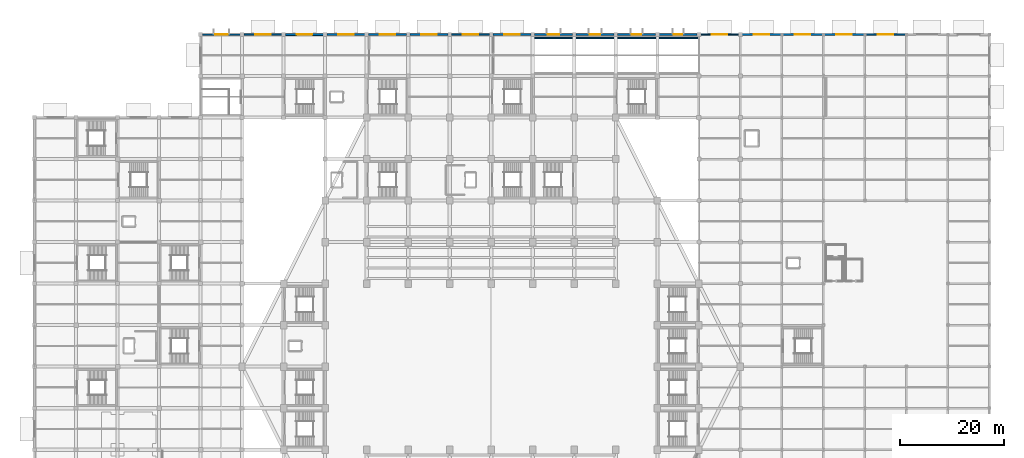
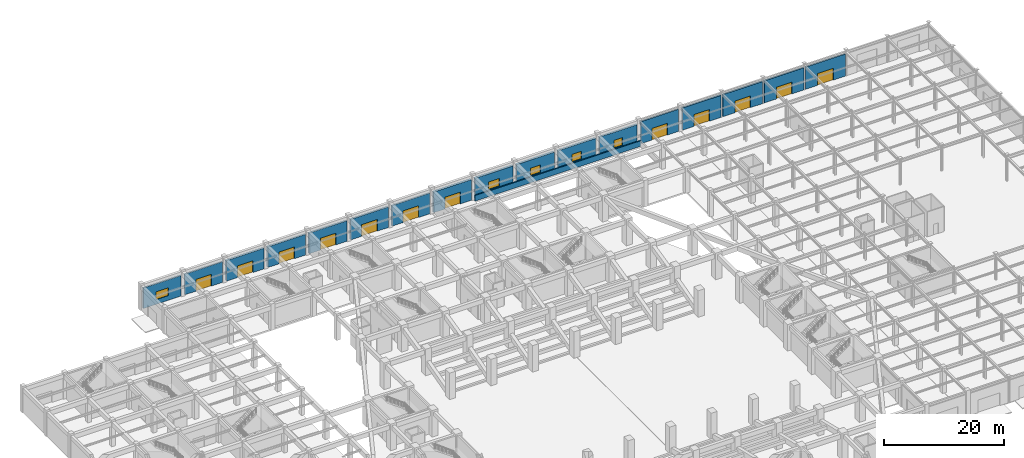
# One storey, part 31 of 39: 18 walls, 12 doors, 5 windows, 17 openings.
"""IFC4 building model written with IfcOpenShell, lengths in metres."""

from ifc_helpers import new_model, si_unit, direction, frame, frame_2d, origin, place, context, subcontext, project, spatial, rectangle, extrude, material, layer, layer_set, type_object, element, fill, save


model = new_model("IFC4")

# Units and contexts
model_context = context("Model", 3, precision=1e-05, world=origin(), true_north=direction((0.0, 1.0)))
body_context = subcontext(model_context, "Body", "Model", "MODEL_VIEW")
ifc_project = project(units=[si_unit("LENGTHUNIT", "METRE"), si_unit("AREAUNIT", "SQUARE_METRE"), si_unit("VOLUMEUNIT", "CUBIC_METRE"), si_unit("PLANEANGLEUNIT", "RADIAN"), si_unit("MASSUNIT", "GRAM", prefix="KILO")], contexts=[model_context])

# Site, building, storey
site_placement = place(None, origin())
site = spatial("IfcSite", under=ifc_project, at=site_placement, CompositionType="ELEMENT")
building_placement = place(site_placement, origin())
building = spatial("IfcBuilding", under=site, at=building_placement, Name="Tazarka Park Arena", CompositionType="ELEMENT")
storey_placement = place(building_placement, origin())
storey = spatial("IfcBuildingStorey", under=building, at=storey_placement, Name="L00", CompositionType="ELEMENT", Elevation=0.0)

# Wall, opening, door
ifc_material_1 = material(Name="Precast concrete C40/50", Category="concrete")
ifc_layer_1 = layer(ifc_material_1, 0.300048828125, Name="Precast concrete C40/50")
ifc_layer_set_1 = layer_set([ifc_layer_1], Name="Precast concrete C40/50")
wall_type_1 = type_object("IfcWallType", Name="WAL-EW-01", PredefinedType="SOLIDWALL", material=ifc_layer_set_1)
wall_1_placement = place(storey_placement, frame((80.35498046875, 128.0, 0.0), z_axis=(0.0, 0.0, 1.0), x_axis=(1.0, 0.0, 0.0)))
wall_1 = element("IfcWall", 1, at=wall_1_placement, inside=storey, type_object=wall_type_1, Name="EW-L00-0112", PredefinedType="SOLIDWALL", context=body_context, shape_type="SweptSolid", body=[
    extrude(rectangle(XDim=7.2900390625, YDim=0.300048828125, at=frame_2d((3.64501953125, 0.0))), origin(), (0.0, 0.0, 1.0), 4.199951171875),
])
opening_1_placement = place(wall_1_placement, frame((2.14501953125, 0.0, 0.0)))
opening_1 = element("IfcOpeningElement", 2, at=opening_1_placement, cuts=wall_1, Name="Opening G10", PredefinedType="OPENING", context=body_context, shape_type="SweptSolid", body=[
    extrude(rectangle(XDim=3.0, YDim=2.39990234375, at=frame_2d((1.5, 1.199951171875))), frame((0.0, 0.16015625, 0.0), z_axis=(0.0, -1.0, 0.0), x_axis=(1.0, 0.0, 0.0)), (0.0, 0.0, 1.0), 0.320068359375),
])
ifc_material_2 = material(Name="Thermally broken anodised aluminium and laminated safety glass", Category="aluminium")
door_type = type_object("IfcDoorType", Name="DR-ED-02", OperationType="NOTDEFINED", PredefinedType="DOOR", material=ifc_material_2)
door_1_placement = place(opening_1_placement, origin())
door_1 = element("IfcDoor", 3, at=door_1_placement, inside=storey, type_object=door_type, Name="Pedestrian exit gate G10", OperationType="DOUBLE_DOOR_SINGLE_SWING", OverallHeight=2.39990234375, OverallWidth=3.0, PredefinedType="DOOR", context=body_context, shape_type="SweptSolid", body=[
    extrude(rectangle(XDim=3.0, YDim=2.39990234375, at=frame_2d((1.5, 1.199951171875))), frame((0.0, 0.02490234375, 0.0), z_axis=(0.0, -1.0, 0.0), x_axis=(1.0, 0.0, 0.0)), (0.0, 0.0, 1.0), 0.050048828125),
])
fill(opening_1, door_1)

ifc_material_3 = material(Name="Precast concrete C40/50", Category="concrete")
ifc_layer_2 = layer(ifc_material_3, 0.320068359375, Name="Precast concrete C40/50")
ifc_layer_set_2 = layer_set([ifc_layer_2], Name="Precast concrete C40/50")
wall_type_2 = type_object("IfcWallType", Name="WAL-EW-02", PredefinedType="SOLIDWALL", material=ifc_layer_set_2)
wall_2_placement = place(storey_placement, frame((72.35498046875, 128.0, 0.0), z_axis=(0.0, 0.0, 1.0), x_axis=(1.0, 0.0, 0.0)))
wall_2 = element("IfcWall", 4, at=wall_2_placement, inside=storey, type_object=wall_type_2, Name="EW-L00-0113", PredefinedType="SOLIDWALL", context=body_context, shape_type="SweptSolid", body=[
    extrude(rectangle(XDim=7.2900390625, YDim=0.320068359375, at=frame_2d((3.64501953125, 0.0))), origin(), (0.0, 0.0, 1.0), 4.199951171875),
])
opening_2_placement = place(wall_2_placement, frame((2.14501953125, 0.0, 0.0)))
opening_2 = element("IfcOpeningElement", 5, at=opening_2_placement, cuts=wall_2, Name="Opening G11", PredefinedType="OPENING", context=body_context, shape_type="SweptSolid", body=[
    extrude(rectangle(XDim=3.0, YDim=2.39990234375, at=frame_2d((1.5, 1.199951171875))), frame((0.0, 0.169921875, 0.0), z_axis=(0.0, -1.0, 0.0), x_axis=(1.0, 0.0, 0.0)), (0.0, 0.0, 1.0), 0.340087890625),
])
door_2_placement = place(opening_2_placement, origin())
door_2 = element("IfcDoor", 6, at=door_2_placement, inside=storey, type_object=door_type, Name="Pedestrian exit gate G11", OperationType="DOUBLE_DOOR_SINGLE_SWING", OverallHeight=2.39990234375, OverallWidth=3.0, PredefinedType="DOOR", context=body_context, shape_type="SweptSolid", body=[
    extrude(rectangle(XDim=3.0, YDim=2.39990234375, at=frame_2d((1.5, 1.199951171875))), frame((0.0, 0.02490234375, 0.0), z_axis=(0.0, -1.0, 0.0), x_axis=(1.0, 0.0, 0.0)), (0.0, 0.0, 1.0), 0.050048828125),
])
fill(opening_2, door_2)

ifc_material_4 = material(Name="Concrete C40/50", Category="concrete")
ifc_layer_3 = layer(ifc_material_4, 0.340087890625, Name="Concrete C40/50")
ifc_layer_set_3 = layer_set([ifc_layer_3], Name="Concrete C40/50")
wall_type_3 = type_object("IfcWallType", Name="WAL-EW-03", PredefinedType="SOLIDWALL", material=ifc_layer_set_3)
wall_3_placement = place(storey_placement, frame((64.35498046875, 128.0, 0.0), z_axis=(0.0, 0.0, 1.0), x_axis=(1.0, 0.0, 0.0)))
wall_3 = element("IfcWall", 7, at=wall_3_placement, inside=storey, type_object=wall_type_3, Name="EW-L00-0114", PredefinedType="SOLIDWALL", context=body_context, shape_type="SweptSolid", body=[
    extrude(rectangle(XDim=7.2900390625, YDim=0.340087890625, at=frame_2d((3.64501953125, 0.0))), origin(), (0.0, 0.0, 1.0), 4.199951171875),
])
opening_3_placement = place(wall_3_placement, frame((2.14501953125, 0.0, 0.0)))
opening_3 = element("IfcOpeningElement", 8, at=opening_3_placement, cuts=wall_3, Name="Opening G12", PredefinedType="OPENING", context=body_context, shape_type="SweptSolid", body=[
    extrude(rectangle(XDim=3.0, YDim=2.39990234375, at=frame_2d((1.5, 1.199951171875))), frame((0.0, 0.18017578125, 0.0), z_axis=(0.0, -1.0, 0.0), x_axis=(1.0, 0.0, 0.0)), (0.0, 0.0, 1.0), 0.360107421875),
])
door_3_placement = place(opening_3_placement, origin())
door_3 = element("IfcDoor", 9, at=door_3_placement, inside=storey, type_object=door_type, Name="Pedestrian exit gate G12", OperationType="DOUBLE_DOOR_SINGLE_SWING", OverallHeight=2.39990234375, OverallWidth=3.0, PredefinedType="DOOR", context=body_context, shape_type="SweptSolid", body=[
    extrude(rectangle(XDim=3.0, YDim=2.39990234375, at=frame_2d((1.5, 1.199951171875))), frame((0.0, 0.02490234375, 0.0), z_axis=(0.0, -1.0, 0.0), x_axis=(1.0, 0.0, 0.0)), (0.0, 0.0, 1.0), 0.050048828125),
])
fill(opening_3, door_3)

ifc_material_5 = material(Name="Concrete C40/50", Category="concrete")
ifc_layer_4 = layer(ifc_material_5, 0.360107421875, Name="Concrete C40/50")
ifc_layer_set_4 = layer_set([ifc_layer_4], Name="Concrete C40/50")
wall_type_4 = type_object("IfcWallType", Name="WAL-EW-04", PredefinedType="SOLIDWALL", material=ifc_layer_set_4)
wall_4_placement = place(storey_placement, frame((56.35498046875, 128.0, 0.0), z_axis=(0.0, 0.0, 1.0), x_axis=(1.0, 0.0, 0.0)))
wall_4 = element("IfcWall", 10, at=wall_4_placement, inside=storey, type_object=wall_type_4, Name="EW-L00-0115", PredefinedType="SOLIDWALL", context=body_context, shape_type="SweptSolid", body=[
    extrude(rectangle(XDim=7.2900390625, YDim=0.360107421875, at=frame_2d((3.64501953125, 0.0))), origin(), (0.0, 0.0, 1.0), 4.199951171875),
])
opening_4_placement = place(wall_4_placement, frame((2.14501953125, 0.0, 0.0)))
opening_4 = element("IfcOpeningElement", 11, at=opening_4_placement, cuts=wall_4, Name="Opening G13", PredefinedType="OPENING", context=body_context, shape_type="SweptSolid", body=[
    extrude(rectangle(XDim=3.0, YDim=2.39990234375, at=frame_2d((1.5, 1.199951171875))), frame((0.0, 0.18994140625, 0.0), z_axis=(0.0, -1.0, 0.0), x_axis=(1.0, 0.0, 0.0)), (0.0, 0.0, 1.0), 0.380126953125),
])
door_4_placement = place(opening_4_placement, origin())
door_4 = element("IfcDoor", 12, at=door_4_placement, inside=storey, type_object=door_type, Name="Pedestrian exit gate G13", OperationType="DOUBLE_DOOR_SINGLE_SWING", OverallHeight=2.39990234375, OverallWidth=3.0, PredefinedType="DOOR", context=body_context, shape_type="SweptSolid", body=[
    extrude(rectangle(XDim=3.0, YDim=2.39990234375, at=frame_2d((1.5, 1.199951171875))), frame((0.0, 0.02490234375, 0.0), z_axis=(0.0, -1.0, 0.0), x_axis=(1.0, 0.0, 0.0)), (0.0, 0.0, 1.0), 0.050048828125),
])
fill(opening_4, door_4)

ifc_material_6 = material(Name="Concrete C50/60", Category="concrete")
ifc_layer_5 = layer(ifc_material_6, 0.3798828125, Name="Concrete C50/60")
ifc_layer_set_5 = layer_set([ifc_layer_5], Name="Concrete C50/60")
wall_type_5 = type_object("IfcWallType", Name="WAL-EW-05", PredefinedType="SOLIDWALL", material=ifc_layer_set_5)
wall_5_placement = place(storey_placement, frame((48.35498046875, 128.0, 0.0), z_axis=(0.0, 0.0, 1.0), x_axis=(1.0, 0.0, 0.0)))
wall_5 = element("IfcWall", 13, at=wall_5_placement, inside=storey, type_object=wall_type_5, Name="EW-L00-0116", PredefinedType="SOLIDWALL", context=body_context, shape_type="SweptSolid", body=[
    extrude(rectangle(XDim=7.2900390625, YDim=0.3798828125, at=frame_2d((3.64501953125, 0.0))), origin(), (0.0, 0.0, 1.0), 4.199951171875),
])
opening_5_placement = place(wall_5_placement, frame((2.14501953125, 0.0, 0.0)))
opening_5 = element("IfcOpeningElement", 14, at=opening_5_placement, cuts=wall_5, Name="Opening G14", PredefinedType="OPENING", context=body_context, shape_type="SweptSolid", body=[
    extrude(rectangle(XDim=3.0, YDim=2.39990234375, at=frame_2d((1.5, 1.199951171875))), frame((0.0, 0.199951171875, 0.0), z_axis=(0.0, -1.0, 0.0), x_axis=(1.0, 0.0, 0.0)), (0.0, 0.0, 1.0), 0.39990234375),
])
door_5_placement = place(opening_5_placement, origin())
door_5 = element("IfcDoor", 15, at=door_5_placement, inside=storey, type_object=door_type, Name="Pedestrian exit gate G14", OperationType="DOUBLE_DOOR_SINGLE_SWING", OverallHeight=2.39990234375, OverallWidth=3.0, PredefinedType="DOOR", context=body_context, shape_type="SweptSolid", body=[
    extrude(rectangle(XDim=3.0, YDim=2.39990234375, at=frame_2d((1.5, 1.199951171875))), frame((0.0, 0.02490234375, 0.0), z_axis=(0.0, -1.0, 0.0), x_axis=(1.0, 0.0, 0.0)), (0.0, 0.0, 1.0), 0.050048828125),
])
fill(opening_5, door_5)

ifc_material_7 = material(Name="Precast concrete C40/50", Category="concrete")
ifc_layer_6 = layer(ifc_material_7, 0.280029296875, Name="Precast concrete C40/50")
ifc_layer_set_6 = layer_set([ifc_layer_6], Name="Precast concrete C40/50")
wall_type_6 = type_object("IfcWallType", Name="WAL-EW-06", PredefinedType="SOLIDWALL", material=ifc_layer_set_6)
wall_6_placement = place(storey_placement, frame((40.35498046875, 128.0, 0.0), z_axis=(0.0, 0.0, 1.0), x_axis=(1.0, 0.0, 0.0)))
wall_6 = element("IfcWall", 16, at=wall_6_placement, inside=storey, type_object=wall_type_6, Name="EW-L00-0117", PredefinedType="SOLIDWALL", context=body_context, shape_type="SweptSolid", body=[
    extrude(rectangle(XDim=7.2900390625, YDim=0.280029296875, at=frame_2d((3.64501953125, 0.0))), origin(), (0.0, 0.0, 1.0), 4.199951171875),
])
opening_6_placement = place(wall_6_placement, frame((2.14501953125, 0.0, 0.0)))
opening_6 = element("IfcOpeningElement", 17, at=opening_6_placement, cuts=wall_6, Name="Opening G15", PredefinedType="OPENING", context=body_context, shape_type="SweptSolid", body=[
    extrude(rectangle(XDim=3.0, YDim=2.39990234375, at=frame_2d((1.5, 1.199951171875))), frame((0.0, 0.14990234375, 0.0), z_axis=(0.0, -1.0, 0.0), x_axis=(1.0, 0.0, 0.0)), (0.0, 0.0, 1.0), 0.300048828125),
])
door_6_placement = place(opening_6_placement, origin())
door_6 = element("IfcDoor", 18, at=door_6_placement, inside=storey, type_object=door_type, Name="Pedestrian exit gate G15", OperationType="DOUBLE_DOOR_SINGLE_SWING", OverallHeight=2.39990234375, OverallWidth=3.0, PredefinedType="DOOR", context=body_context, shape_type="SweptSolid", body=[
    extrude(rectangle(XDim=3.0, YDim=2.39990234375, at=frame_2d((1.5, 1.199951171875))), frame((0.0, 0.02490234375, 0.0), z_axis=(0.0, -1.0, 0.0), x_axis=(1.0, 0.0, 0.0)), (0.0, 0.0, 1.0), 0.050048828125),
])
fill(opening_6, door_6)

ifc_material_8 = material(Name="Precast concrete C40/50", Category="concrete")
ifc_layer_7 = layer(ifc_material_8, 0.2900390625, Name="Precast concrete C40/50")
ifc_layer_set_7 = layer_set([ifc_layer_7], Name="Precast concrete C40/50")
wall_type_7 = type_object("IfcWallType", Name="WAL-EW-07", PredefinedType="SOLIDWALL", material=ifc_layer_set_7)
wall_7_placement = place(storey_placement, frame((160.18310546875, 128.0, 0.0), z_axis=(0.0, 0.0, 1.0), x_axis=(1.0, 0.0, 0.0)))
wall_7 = element("IfcWall", 19, at=wall_7_placement, inside=storey, type_object=wall_type_7, Name="EW-L00-0102", PredefinedType="SOLIDWALL", context=body_context, shape_type="SweptSolid", body=[
    extrude(rectangle(XDim=7.6337890625, YDim=0.2900390625, at=frame_2d((3.81689453125, 0.0))), origin(), (0.0, 0.0, 1.0), 4.510009765625),
])
opening_7_placement = place(wall_7_placement, frame((2.31689453125, 0.0, 0.0)))
opening_7 = element("IfcOpeningElement", 20, at=opening_7_placement, cuts=wall_7, Name="Opening G04", PredefinedType="OPENING", context=body_context, shape_type="SweptSolid", body=[
    extrude(rectangle(XDim=3.0, YDim=2.39990234375, at=frame_2d((1.5, 1.199951171875))), frame((0.0, 0.155029296875, 0.0), z_axis=(0.0, -1.0, 0.0), x_axis=(1.0, 0.0, 0.0)), (0.0, 0.0, 1.0), 0.31005859375),
])
door_7_placement = place(opening_7_placement, origin())
door_7 = element("IfcDoor", 21, at=door_7_placement, inside=storey, type_object=door_type, Name="Pedestrian exit gate G04", OperationType="DOUBLE_DOOR_SINGLE_SWING", OverallHeight=2.39990234375, OverallWidth=3.0, PredefinedType="DOOR", context=body_context, shape_type="SweptSolid", body=[
    extrude(rectangle(XDim=3.0, YDim=2.39990234375, at=frame_2d((1.5, 1.199951171875))), frame((0.0, 0.02490234375, 0.0), z_axis=(0.0, -1.0, 0.0), x_axis=(1.0, 0.0, 0.0)), (0.0, 0.0, 1.0), 0.050048828125),
])
fill(opening_7, door_7)

# Wall, opening, window
wall_8_placement = place(storey_placement, frame((32.35498046875, 128.0, 0.0), z_axis=(0.0, 0.0, 1.0), x_axis=(1.0, 0.0, 0.0)))
wall_8 = element("IfcWall", 22, at=wall_8_placement, inside=storey, type_object=wall_type_7, Name="EW-L00-0118", PredefinedType="SOLIDWALL", context=body_context, shape_type="SweptSolid", body=[
    extrude(rectangle(XDim=7.2900390625, YDim=0.2900390625, at=frame_2d((3.64501953125, 0.0))), origin(), (0.0, 0.0, 1.0), 4.199951171875),
])
opening_8_placement = place(wall_8_placement, frame((2.445068359375, 0.0, 0.949951171875)))
opening_8 = element("IfcOpeningElement", 23, at=opening_8_placement, cuts=wall_8, Name="Opening WN-05", PredefinedType="OPENING", context=body_context, shape_type="SweptSolid", body=[
    extrude(rectangle(XDim=2.39990234375, YDim=1.60009765625, at=frame_2d((1.199951171875, 0.800048828125))), frame((0.0, 0.155029296875, 0.0), z_axis=(0.0, -1.0, 0.0), x_axis=(1.0, 0.0, 0.0)), (0.0, 0.0, 1.0), 0.31005859375),
])
ifc_material_9 = material(Name="Thermally broken aluminium and solar-control low-e glazing", Category="aluminium")
window_type_1 = type_object("IfcWindowType", Name="WIN-WN-05", PartitioningType="DOUBLE_PANEL_VERTICAL", PredefinedType="WINDOW", material=ifc_material_9)
window_1_placement = place(opening_8_placement, origin())
window_1 = element("IfcWindow", 24, at=window_1_placement, inside=storey, type_object=window_type_1, Name="WIN-L00-0005", OverallHeight=1.60009765625, OverallWidth=2.39990234375, PartitioningType="SINGLE_PANEL", PredefinedType="WINDOW", context=body_context, shape_type="SweptSolid", body=[
    extrude(rectangle(XDim=2.39990234375, YDim=1.60009765625, at=frame_2d((1.199951171875, 0.800048828125))), frame((0.0, 0.030029296875, 0.0), z_axis=(0.0, -1.0, 0.0), x_axis=(1.0, 0.0, 0.0)), (0.0, 0.0, 1.0), 0.06005859375),
])
fill(opening_8, window_1)

# Wall, opening, door
ifc_material_10 = material(Name="Precast concrete C40/50", Category="concrete")
ifc_layer_8 = layer(ifc_material_10, 0.31005859375, Name="Precast concrete C40/50")
ifc_layer_set_8 = layer_set([ifc_layer_8], Name="Precast concrete C40/50")
wall_type_8 = type_object("IfcWallType", Name="WAL-EW-08", PredefinedType="SOLIDWALL", material=ifc_layer_set_8)
wall_9_placement = place(storey_placement, frame((152.18310546875, 128.0, 0.0), z_axis=(0.0, 0.0, 1.0), x_axis=(1.0, 0.0, 0.0)))
wall_9 = element("IfcWall", 25, at=wall_9_placement, inside=storey, type_object=wall_type_8, Name="EW-L00-0103", PredefinedType="SOLIDWALL", context=body_context, shape_type="SweptSolid", body=[
    extrude(rectangle(XDim=7.6337890625, YDim=0.31005859375, at=frame_2d((3.81689453125, 0.0))), origin(), (0.0, 0.0, 1.0), 4.510009765625),
])
opening_9_placement = place(wall_9_placement, frame((2.31689453125, 0.0, 0.0)))
opening_9 = element("IfcOpeningElement", 26, at=opening_9_placement, cuts=wall_9, Name="Opening G05", PredefinedType="OPENING", context=body_context, shape_type="SweptSolid", body=[
    extrude(rectangle(XDim=3.0, YDim=2.39990234375, at=frame_2d((1.5, 1.199951171875))), frame((0.0, 0.1650390625, 0.0), z_axis=(0.0, -1.0, 0.0), x_axis=(1.0, 0.0, 0.0)), (0.0, 0.0, 1.0), 0.330078125),
])
door_8_placement = place(opening_9_placement, origin())
door_8 = element("IfcDoor", 27, at=door_8_placement, inside=storey, type_object=door_type, Name="Pedestrian exit gate G05", OperationType="DOUBLE_DOOR_SINGLE_SWING", OverallHeight=2.39990234375, OverallWidth=3.0, PredefinedType="DOOR", context=body_context, shape_type="SweptSolid", body=[
    extrude(rectangle(XDim=3.0, YDim=2.39990234375, at=frame_2d((1.5, 1.199951171875))), frame((0.0, 0.02490234375, 0.0), z_axis=(0.0, -1.0, 0.0), x_axis=(1.0, 0.0, 0.0)), (0.0, 0.0, 1.0), 0.050048828125),
])
fill(opening_9, door_8)

ifc_material_11 = material(Name="Concrete C40/50", Category="concrete")
ifc_layer_9 = layer(ifc_material_11, 0.330078125, Name="Concrete C40/50")
ifc_layer_set_9 = layer_set([ifc_layer_9], Name="Concrete C40/50")
wall_type_9 = type_object("IfcWallType", Name="WAL-EW-09", PredefinedType="SOLIDWALL", material=ifc_layer_set_9)
wall_10_placement = place(storey_placement, frame((144.18310546875, 128.0, 0.0), z_axis=(0.0, 0.0, 1.0), x_axis=(1.0, 0.0, 0.0)))
wall_10 = element("IfcWall", 28, at=wall_10_placement, inside=storey, type_object=wall_type_9, Name="EW-L00-0104", PredefinedType="SOLIDWALL", context=body_context, shape_type="SweptSolid", body=[
    extrude(rectangle(XDim=7.6337890625, YDim=0.330078125, at=frame_2d((3.81689453125, 0.0))), origin(), (0.0, 0.0, 1.0), 4.510009765625),
])
opening_10_placement = place(wall_10_placement, frame((2.31689453125, 0.0, 0.0)))
opening_10 = element("IfcOpeningElement", 29, at=opening_10_placement, cuts=wall_10, Name="Opening G06", PredefinedType="OPENING", context=body_context, shape_type="SweptSolid", body=[
    extrude(rectangle(XDim=3.0, YDim=2.39990234375, at=frame_2d((1.5, 1.199951171875))), frame((0.0, 0.175048828125, 0.0), z_axis=(0.0, -1.0, 0.0), x_axis=(1.0, 0.0, 0.0)), (0.0, 0.0, 1.0), 0.35009765625),
])
door_9_placement = place(opening_10_placement, origin())
door_9 = element("IfcDoor", 30, at=door_9_placement, inside=storey, type_object=door_type, Name="Pedestrian exit gate G06", OperationType="DOUBLE_DOOR_SINGLE_SWING", OverallHeight=2.39990234375, OverallWidth=3.0, PredefinedType="DOOR", context=body_context, shape_type="SweptSolid", body=[
    extrude(rectangle(XDim=3.0, YDim=2.39990234375, at=frame_2d((1.5, 1.199951171875))), frame((0.0, 0.02490234375, 0.0), z_axis=(0.0, -1.0, 0.0), x_axis=(1.0, 0.0, 0.0)), (0.0, 0.0, 1.0), 0.050048828125),
])
fill(opening_10, door_9)

ifc_material_12 = material(Name="Concrete C40/50", Category="concrete")
ifc_layer_10 = layer(ifc_material_12, 0.35009765625, Name="Concrete C40/50")
ifc_layer_set_10 = layer_set([ifc_layer_10], Name="Concrete C40/50")
wall_type_10 = type_object("IfcWallType", Name="WAL-EW-10", PredefinedType="SOLIDWALL", material=ifc_layer_set_10)
wall_11_placement = place(storey_placement, frame((136.35498046875, 128.0, 0.0), z_axis=(0.0, 0.0, 1.0), x_axis=(1.0, 0.0, 0.0)))
wall_11 = element("IfcWall", 31, at=wall_11_placement, inside=storey, type_object=wall_type_10, Name="EW-L00-0105", PredefinedType="SOLIDWALL", context=body_context, shape_type="SweptSolid", body=[
    extrude(rectangle(XDim=7.4619140625, YDim=0.35009765625, at=frame_2d((3.73095703125, 0.0))), origin(), (0.0, 0.0, 1.0), 4.510009765625),
])
opening_11_placement = place(wall_11_placement, frame((2.23095703125, 0.0, 0.0)))
opening_11 = element("IfcOpeningElement", 32, at=opening_11_placement, cuts=wall_11, Name="Opening G07", PredefinedType="OPENING", context=body_context, shape_type="SweptSolid", body=[
    extrude(rectangle(XDim=3.0, YDim=2.39990234375, at=frame_2d((1.5, 1.199951171875))), frame((0.0, 0.18505859375, 0.0), z_axis=(0.0, -1.0, 0.0), x_axis=(1.0, 0.0, 0.0)), (0.0, 0.0, 1.0), 0.3701171875),
])
door_10_placement = place(opening_11_placement, origin())
door_10 = element("IfcDoor", 33, at=door_10_placement, inside=storey, type_object=door_type, Name="Pedestrian exit gate G07", OperationType="DOUBLE_DOOR_SINGLE_SWING", OverallHeight=2.39990234375, OverallWidth=3.0, PredefinedType="DOOR", context=body_context, shape_type="SweptSolid", body=[
    extrude(rectangle(XDim=3.0, YDim=2.39990234375, at=frame_2d((1.5, 1.199951171875))), frame((0.0, 0.02490234375, 0.0), z_axis=(0.0, -1.0, 0.0), x_axis=(1.0, 0.0, 0.0)), (0.0, 0.0, 1.0), 0.050048828125),
])
fill(opening_11, door_10)

ifc_material_13 = material(Name="Precast concrete C40/50", Category="concrete")
ifc_layer_11 = layer(ifc_material_13, 0.27001953125, Name="Precast concrete C40/50")
ifc_layer_set_11 = layer_set([ifc_layer_11], Name="Precast concrete C40/50")
wall_type_11 = type_object("IfcWallType", Name="WAL-EW-11", PredefinedType="SOLIDWALL", material=ifc_layer_set_11)
wall_12_placement = place(storey_placement, frame((128.35498046875, 128.0, 0.0), z_axis=(0.0, 0.0, 1.0), x_axis=(1.0, 0.0, 0.0)))
wall_12 = element("IfcWall", 34, at=wall_12_placement, inside=storey, type_object=wall_type_11, Name="EW-L00-0106", PredefinedType="SOLIDWALL", context=body_context, shape_type="SweptSolid", body=[
    extrude(rectangle(XDim=7.2900390625, YDim=0.27001953125, at=frame_2d((3.64501953125, 0.0))), origin(), (0.0, 0.0, 1.0), 4.510009765625),
])
opening_12_placement = place(wall_12_placement, frame((2.14501953125, 0.0, 0.0)))
opening_12 = element("IfcOpeningElement", 35, at=opening_12_placement, cuts=wall_12, Name="Opening G08", PredefinedType="OPENING", context=body_context, shape_type="SweptSolid", body=[
    extrude(rectangle(XDim=3.0, YDim=2.39990234375, at=frame_2d((1.5, 1.199951171875))), frame((0.0, 0.14501953125, 0.0), z_axis=(0.0, -1.0, 0.0), x_axis=(1.0, 0.0, 0.0)), (0.0, 0.0, 1.0), 0.2900390625),
])
door_11_placement = place(opening_12_placement, origin())
door_11 = element("IfcDoor", 36, at=door_11_placement, inside=storey, type_object=door_type, Name="Pedestrian exit gate G08", OperationType="DOUBLE_DOOR_SINGLE_SWING", OverallHeight=2.39990234375, OverallWidth=3.0, PredefinedType="DOOR", context=body_context, shape_type="SweptSolid", body=[
    extrude(rectangle(XDim=3.0, YDim=2.39990234375, at=frame_2d((1.5, 1.199951171875))), frame((0.0, 0.02490234375, 0.0), z_axis=(0.0, -1.0, 0.0), x_axis=(1.0, 0.0, 0.0)), (0.0, 0.0, 1.0), 0.050048828125),
])
fill(opening_12, door_11)

# Wall, opening, window
ifc_material_14 = material(Name="Concrete C40/50", Category="concrete")
ifc_layer_12 = layer(ifc_material_14, 0.3701171875, Name="Concrete C40/50")
ifc_layer_set_12 = layer_set([ifc_layer_12], Name="Concrete C40/50")
wall_type_12 = type_object("IfcWallType", Name="WAL-EW-12", PredefinedType="SOLIDWALL", material=ifc_layer_set_12)
wall_13_placement = place(storey_placement, frame((120.35498046875, 128.0, 0.0), z_axis=(0.0, 0.0, 1.0), x_axis=(1.0, 0.0, 0.0)))
wall_13 = element("IfcWall", 37, at=wall_13_placement, inside=storey, type_object=wall_type_12, Name="EW-L00-0107", PredefinedType="SOLIDWALL", context=body_context, shape_type="SweptSolid", body=[
    extrude(rectangle(XDim=7.2900390625, YDim=0.3701171875, at=frame_2d((3.64501953125, 0.0))), origin(), (0.0, 0.0, 1.0), 4.199951171875),
])
opening_13_placement = place(wall_13_placement, frame((2.844970703125, 0.0, 0.949951171875)))
opening_13 = element("IfcOpeningElement", 38, at=opening_13_placement, cuts=wall_13, Name="Opening WN-01", PredefinedType="OPENING", context=body_context, shape_type="SweptSolid", body=[
    extrude(rectangle(XDim=1.60009765625, YDim=1.60009765625, at=frame_2d((0.800048828125, 0.800048828125))), frame((0.0, 0.195068359375, 0.0), z_axis=(0.0, -1.0, 0.0), x_axis=(1.0, 0.0, 0.0)), (0.0, 0.0, 1.0), 0.39013671875),
])
ifc_material_15 = material(Name="Thermally broken aluminium and solar-control low-e glazing", Category="aluminium")
window_type_2 = type_object("IfcWindowType", Name="WIN-WN-01", PartitioningType="DOUBLE_PANEL_VERTICAL", PredefinedType="WINDOW", material=ifc_material_15)
window_2_placement = place(opening_13_placement, origin())
window_2 = element("IfcWindow", 39, at=window_2_placement, inside=storey, type_object=window_type_2, Name="WIN-L00-0001", OverallHeight=1.60009765625, OverallWidth=1.60009765625, PartitioningType="SINGLE_PANEL", PredefinedType="WINDOW", context=body_context, shape_type="SweptSolid", body=[
    extrude(rectangle(XDim=1.60009765625, YDim=1.60009765625, at=frame_2d((0.800048828125, 0.800048828125))), frame((0.0, 0.030029296875, 0.0), z_axis=(0.0, -1.0, 0.0), x_axis=(1.0, 0.0, 0.0)), (0.0, 0.0, 1.0), 0.06005859375),
])
fill(opening_13, window_2)

ifc_material_16 = material(Name="Concrete C50/60", Category="concrete")
ifc_layer_13 = layer(ifc_material_16, 0.389892578125, Name="Concrete C50/60")
ifc_layer_set_13 = layer_set([ifc_layer_13], Name="Concrete C50/60")
wall_type_13 = type_object("IfcWallType", Name="WAL-EW-13", PredefinedType="SOLIDWALL", material=ifc_layer_set_13)
wall_14_placement = place(storey_placement, frame((112.35498046875, 128.0, 0.0), z_axis=(0.0, 0.0, 1.0), x_axis=(1.0, 0.0, 0.0)))
wall_14 = element("IfcWall", 40, at=wall_14_placement, inside=storey, type_object=wall_type_13, Name="EW-L00-0108", PredefinedType="SOLIDWALL", context=body_context, shape_type="SweptSolid", body=[
    extrude(rectangle(XDim=7.2900390625, YDim=0.389892578125, at=frame_2d((3.64501953125, 0.0))), origin(), (0.0, 0.0, 1.0), 4.199951171875),
])
opening_14_placement = place(wall_14_placement, frame((2.7451171875, 0.0, 0.949951171875)))
opening_14 = element("IfcOpeningElement", 41, at=opening_14_placement, cuts=wall_14, Name="Opening WN-02", PredefinedType="OPENING", context=body_context, shape_type="SweptSolid", body=[
    extrude(rectangle(XDim=1.800048828125, YDim=1.60009765625, at=frame_2d((0.89990234375, 0.800048828125))), frame((0.0, 0.205078125, 0.0), z_axis=(0.0, -1.0, 0.0), x_axis=(1.0, 0.0, 0.0)), (0.0, 0.0, 1.0), 0.409912109375),
])
ifc_material_17 = material(Name="Thermally broken aluminium and solar-control low-e glazing", Category="aluminium")
window_type_3 = type_object("IfcWindowType", Name="WIN-WN-02", PartitioningType="DOUBLE_PANEL_VERTICAL", PredefinedType="WINDOW", material=ifc_material_17)
window_3_placement = place(opening_14_placement, origin())
window_3 = element("IfcWindow", 42, at=window_3_placement, inside=storey, type_object=window_type_3, Name="WIN-L00-0002", OverallHeight=1.60009765625, OverallWidth=1.800048828125, PartitioningType="SINGLE_PANEL", PredefinedType="WINDOW", context=body_context, shape_type="SweptSolid", body=[
    extrude(rectangle(XDim=1.800048828125, YDim=1.60009765625, at=frame_2d((0.89990234375, 0.800048828125))), frame((0.0, 0.030029296875, 0.0), z_axis=(0.0, -1.0, 0.0), x_axis=(1.0, 0.0, 0.0)), (0.0, 0.0, 1.0), 0.06005859375),
])
fill(opening_14, window_3)

ifc_material_18 = material(Name="Concrete C50/60", Category="concrete")
ifc_layer_14 = layer(ifc_material_18, 0.409912109375, Name="Concrete C50/60")
ifc_layer_set_14 = layer_set([ifc_layer_14], Name="Concrete C50/60")
wall_type_14 = type_object("IfcWallType", Name="WAL-EW-14", PredefinedType="SOLIDWALL", material=ifc_layer_set_14)
wall_15_placement = place(storey_placement, frame((104.35498046875, 128.0, 0.0), z_axis=(0.0, 0.0, 1.0), x_axis=(1.0, 0.0, 0.0)))
wall_15 = element("IfcWall", 43, at=wall_15_placement, inside=storey, type_object=wall_type_14, Name="EW-L00-0109", PredefinedType="SOLIDWALL", context=body_context, shape_type="SweptSolid", body=[
    extrude(rectangle(XDim=7.2900390625, YDim=0.409912109375, at=frame_2d((3.64501953125, 0.0))), origin(), (0.0, 0.0, 1.0), 4.199951171875),
])
opening_15_placement = place(wall_15_placement, frame((2.64501953125, 0.0, 0.949951171875)))
opening_15 = element("IfcOpeningElement", 44, at=opening_15_placement, cuts=wall_15, Name="Opening WN-03", PredefinedType="OPENING", context=body_context, shape_type="SweptSolid", body=[
    extrude(rectangle(XDim=2.0, YDim=1.60009765625, at=frame_2d((1.0, 0.800048828125))), frame((0.0, 0.21484375, 0.0), z_axis=(0.0, -1.0, 0.0), x_axis=(1.0, 0.0, 0.0)), (0.0, 0.0, 1.0), 0.429931640625),
])
ifc_material_19 = material(Name="Thermally broken aluminium and solar-control low-e glazing", Category="aluminium")
window_type_4 = type_object("IfcWindowType", Name="WIN-WN-03", PartitioningType="DOUBLE_PANEL_VERTICAL", PredefinedType="WINDOW", material=ifc_material_19)
window_4_placement = place(opening_15_placement, origin())
window_4 = element("IfcWindow", 45, at=window_4_placement, inside=storey, type_object=window_type_4, Name="WIN-L00-0003", OverallHeight=1.60009765625, OverallWidth=2.0, PartitioningType="SINGLE_PANEL", PredefinedType="WINDOW", context=body_context, shape_type="SweptSolid", body=[
    extrude(rectangle(XDim=2.0, YDim=1.60009765625, at=frame_2d((1.0, 0.800048828125))), frame((0.0, 0.030029296875, 0.0), z_axis=(0.0, -1.0, 0.0), x_axis=(1.0, 0.0, 0.0)), (0.0, 0.0, 1.0), 0.06005859375),
])
fill(opening_15, window_4)

ifc_material_20 = material(Name="Concrete C50/60", Category="concrete")
ifc_layer_15 = layer(ifc_material_20, 0.419921875, Name="Concrete C50/60")
ifc_layer_set_15 = layer_set([ifc_layer_15], Name="Concrete C50/60")
wall_type_15 = type_object("IfcWallType", Name="WAL-EW-15", PredefinedType="SOLIDWALL", material=ifc_layer_set_15)
wall_16_placement = place(storey_placement, frame((96.35498046875, 128.0, 0.0), z_axis=(0.0, 0.0, 1.0), x_axis=(1.0, 0.0, 0.0)))
wall_16 = element("IfcWall", 46, at=wall_16_placement, inside=storey, type_object=wall_type_15, Name="EW-L00-0110", PredefinedType="SOLIDWALL", context=body_context, shape_type="SweptSolid", body=[
    extrude(rectangle(XDim=7.2900390625, YDim=0.419921875, at=frame_2d((3.64501953125, 0.0))), origin(), (0.0, 0.0, 1.0), 4.199951171875),
])
opening_16_placement = place(wall_16_placement, frame((2.544921875, 0.0, 0.949951171875)))
opening_16 = element("IfcOpeningElement", 47, at=opening_16_placement, cuts=wall_16, Name="Opening WN-04", PredefinedType="OPENING", context=body_context, shape_type="SweptSolid", body=[
    extrude(rectangle(XDim=2.199951171875, YDim=1.60009765625, at=frame_2d((1.10009765625, 0.800048828125))), frame((0.0, 0.219970703125, 0.0), z_axis=(0.0, -1.0, 0.0), x_axis=(1.0, 0.0, 0.0)), (0.0, 0.0, 1.0), 0.43994140625),
])
ifc_material_21 = material(Name="Thermally broken aluminium and solar-control low-e glazing", Category="aluminium")
window_type_5 = type_object("IfcWindowType", Name="WIN-WN-04", PartitioningType="DOUBLE_PANEL_VERTICAL", PredefinedType="WINDOW", material=ifc_material_21)
window_5_placement = place(opening_16_placement, origin())
window_5 = element("IfcWindow", 48, at=window_5_placement, inside=storey, type_object=window_type_5, Name="WIN-L00-0004", OverallHeight=1.60009765625, OverallWidth=2.199951171875, PartitioningType="SINGLE_PANEL", PredefinedType="WINDOW", context=body_context, shape_type="SweptSolid", body=[
    extrude(rectangle(XDim=2.199951171875, YDim=1.60009765625, at=frame_2d((1.10009765625, 0.800048828125))), frame((0.0, 0.030029296875, 0.0), z_axis=(0.0, -1.0, 0.0), x_axis=(1.0, 0.0, 0.0)), (0.0, 0.0, 1.0), 0.06005859375),
])
fill(opening_16, window_5)

# Wall, opening, door
ifc_material_22 = material(Name="Concrete C50/60", Category="concrete")
ifc_layer_16 = layer(ifc_material_22, 0.429931640625, Name="Concrete C50/60")
ifc_layer_set_16 = layer_set([ifc_layer_16], Name="Concrete C50/60")
wall_type_16 = type_object("IfcWallType", Name="WAL-EW-16", PredefinedType="SOLIDWALL", material=ifc_layer_set_16)
wall_17_placement = place(storey_placement, frame((88.35498046875, 128.0, 0.0), z_axis=(0.0, 0.0, 1.0), x_axis=(1.0, 0.0, 0.0)))
wall_17 = element("IfcWall", 49, at=wall_17_placement, inside=storey, type_object=wall_type_16, Name="EW-L00-0111", PredefinedType="SOLIDWALL", context=body_context, shape_type="SweptSolid", body=[
    extrude(rectangle(XDim=7.2900390625, YDim=0.429931640625, at=frame_2d((3.64501953125, 0.0))), origin(), (0.0, 0.0, 1.0), 4.199951171875),
])
opening_17_placement = place(wall_17_placement, frame((2.14501953125, 0.0, 0.0)))
opening_17 = element("IfcOpeningElement", 50, at=opening_17_placement, cuts=wall_17, Name="Opening G09", PredefinedType="OPENING", context=body_context, shape_type="SweptSolid", body=[
    extrude(rectangle(XDim=3.0, YDim=2.39990234375, at=frame_2d((1.5, 1.199951171875))), frame((0.0, 0.22509765625, 0.0), z_axis=(0.0, -1.0, 0.0), x_axis=(1.0, 0.0, 0.0)), (0.0, 0.0, 1.0), 0.449951171875),
])
door_12_placement = place(opening_17_placement, origin())
door_12 = element("IfcDoor", 51, at=door_12_placement, inside=storey, type_object=door_type, Name="Pedestrian exit gate G09", OperationType="DOUBLE_DOOR_SINGLE_SWING", OverallHeight=2.39990234375, OverallWidth=3.0, PredefinedType="DOOR", context=body_context, shape_type="SweptSolid", body=[
    extrude(rectangle(XDim=3.0, YDim=2.39990234375, at=frame_2d((1.5, 1.199951171875))), frame((0.0, 0.02490234375, 0.0), z_axis=(0.0, -1.0, 0.0), x_axis=(1.0, 0.0, 0.0)), (0.0, 0.0, 1.0), 0.050048828125),
])
fill(opening_17, door_12)

# Wall
ifc_material_23 = material(Name="Precast concrete C40/50", Category="concrete")
ifc_layer_17 = layer(ifc_material_23, 0.239990234375, Name="Precast concrete C40/50")
ifc_layer_set_17 = layer_set([ifc_layer_17], Name="Precast concrete C40/50")
wall_type_17 = type_object("IfcWallType", Name="WAL-PW-02", PredefinedType="PARAPET", material=ifc_layer_set_17)
wall_18_placement = place(storey_placement, frame((96.0, 127.35009765625, 0.0), z_axis=(0.0, 0.0, 1.0), x_axis=(1.0, 0.0, 0.0)))
element("IfcWall", 52, at=wall_18_placement, inside=storey, type_object=wall_type_17, Name="VRW-L00-N", PredefinedType="PARAPET", context=body_context, shape_type="SweptSolid", body=[
    extrude(rectangle(XDim=32.0, YDim=0.239990234375, at=frame_2d((16.0, 0.0))), origin(), (0.0, 0.0, 1.0), 1.14990234375),
])

save(model, "model.ifc")
